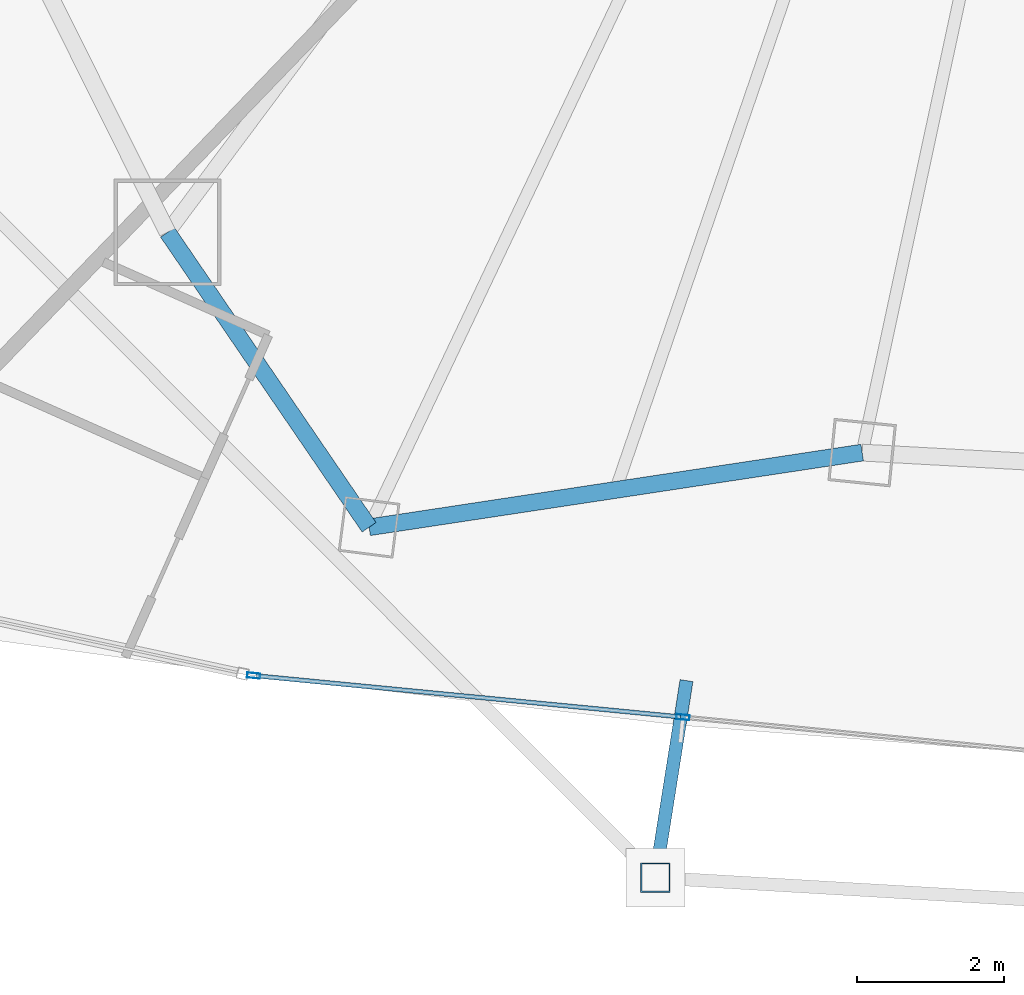
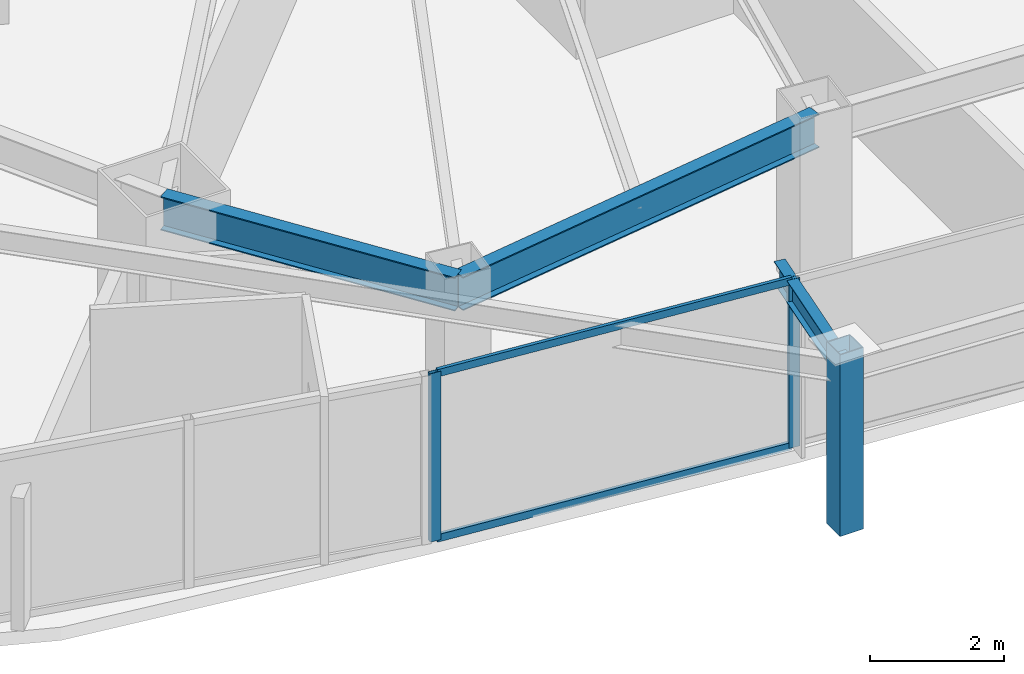
# One storey, part 3 of 31: 5 members, 3 beams, 1 element without a shape of its own.
"""IFC4 building model written with IfcOpenShell, lengths in metres."""

from ifc_helpers import new_model, si_unit, direction, frame, origin, origin_2d, place, context, subcontext, project, spatial, hollow_rectangle, i_section, extrude, material, layer, layer_set, material_profile, profile_set, type_object, element, aggregate, save


model = new_model("IFC4")

# Units and contexts
model_context = context("Model", 3, precision=1e-05, world=origin(), true_north=direction((0.0, 1.0)))
body_context = subcontext(model_context, "Body", "Model", "MODEL_VIEW")
ifc_project = project(units=[si_unit("LENGTHUNIT", "METRE"), si_unit("AREAUNIT", "SQUARE_METRE"), si_unit("VOLUMEUNIT", "CUBIC_METRE"), si_unit("PLANEANGLEUNIT", "RADIAN"), si_unit("MASSUNIT", "GRAM", prefix="KILO")], contexts=[model_context])

# Site, building, storey
site_placement = place(None, origin())
site = spatial("IfcSite", under=ifc_project, at=site_placement, CompositionType="ELEMENT")
building_placement = place(site_placement, origin())
building = spatial("IfcBuilding", under=site, at=building_placement, Name="Orvanel Arch Residences", CompositionType="ELEMENT")
storey_placement = place(building_placement, frame((0.0, 0.0, 133.10009765625)))
storey = spatial("IfcBuildingStorey", under=building, at=storey_placement, Name="L37", CompositionType="ELEMENT", Elevation=133.10009765625)

# Curtain wall, members
ifc_material_1 = material(Name="Bronze-anodised aluminium AA6063-T6", Category="aluminium")
ifc_layer = layer(ifc_material_1, 0.179931640625)
ifc_layer_set = layer_set([ifc_layer], Name="Bronze-anodised aluminium AA6063-T6")
curtain_wall_type = type_object("IfcCurtainWallType", Name="CW3-MID-SYS", PredefinedType="NOTDEFINED", material=ifc_layer_set)
curtain_wall_placement = place(storey_placement, origin())
curtain_wall = element("IfcCurtainWall", 1, at=curtain_wall_placement, inside=storey, type_object=curtain_wall_type, Name="L37 CW3-MID-SYS Unitised Curtain Wall", PredefinedType="NOTDEFINED")
ifc_material_profile_1 = material_profile(ifc_material_1, hollow_rectangle(XDim=0.070068359375, YDim=0.179931640625, WallThickness=0.00439453125, at=origin_2d()), Name="ALU180x70x4.5")
ifc_profile_set_1 = profile_set([ifc_material_profile_1], Name="Bronze-anodised aluminium AA6063-T6")
member_type_1 = type_object("IfcMemberType", Name="MUL-180x70", PredefinedType="MULLION", material=ifc_profile_set_1)
member_1_placement = place(storey_placement, frame((15.370849609375, 4.321533203125, 0.0), z_axis=(0.0, 0.0, 1.0), x_axis=(0.096408125648, 0.995341887649, 0.0)))
member_1 = element("IfcMember", 2, at=member_1_placement, type_object=member_type_1, Name="CW-S3 mullion 1", PredefinedType="MULLION", context=body_context, shape_type="SweptSolid", body=[
    extrude(hollow_rectangle(XDim=0.070068359375, YDim=0.179931640625, WallThickness=0.00439453125, at=origin_2d()), origin(), (0.0, 0.0, 1.0), 3.059814453125),
])
member_2_placement = place(storey_placement, frame((21.21044921875, 3.756103515625, 0.0), z_axis=(0.0, 0.0, 1.0), x_axis=(0.096408125648, 0.995341887649, 0.0)))
member_2 = element("IfcMember", 3, at=member_2_placement, type_object=member_type_1, Name="CW-S3 mullion 2", PredefinedType="MULLION", context=body_context, shape_type="SweptSolid", body=[
    extrude(hollow_rectangle(XDim=0.070068359375, YDim=0.179931640625, WallThickness=0.00439453125, at=origin_2d()), origin(), (0.0, 0.0, 1.0), 3.059814453125),
])

# Beams
ifc_material_2 = material(Name="Structural steel AS/NZS 3679.1 Grade 300 (300 MPa)", Category="steel")
ifc_material_profile_2 = material_profile(ifc_material_2, i_section(OverallWidth=0.177978515625, OverallDepth=0.406005859375, WebThickness=0.0078125, FlangeThickness=0.0126953125, at=origin_2d()), Name="410UB59.7")
ifc_profile_set_2 = profile_set([ifc_material_profile_2], Name="Structural steel AS/NZS 3679.1 Grade 300 (300 MPa)")
beam_type_1 = type_object("IfcBeamType", Name="OB-410UB-EXT", PredefinedType="SPANDREL", material=ifc_profile_set_2)
beam_1_placement = place(storey_placement, frame((21.259033203125, 4.2529296875, 2.85693359375), z_axis=(-0.155888665651, -0.987774632151, 0.0), x_axis=(0.987774632151, -0.155888665651, 0.0)))
element("IfcBeam", 4, at=beam_1_placement, inside=storey, type_object=beam_type_1, Name="L37 Outer Frame Radial Tie Beam 05", PredefinedType="SPANDREL", context=body_context, shape_type="SweptSolid", body=[
    extrude(i_section(OverallWidth=0.177978515625, OverallDepth=0.406005859375, WebThickness=0.0078125, FlangeThickness=0.0126953125, at=origin_2d()), origin(), (0.0, 0.0, 1.0), 2.714111328125),
])
ifc_material_profile_3 = material_profile(ifc_material_2, i_section(OverallWidth=0.22900390625, OverallDepth=0.612060546875, WebThickness=0.011962890625, FlangeThickness=0.01953125, at=origin_2d()), Name="610UB125")
ifc_profile_set_3 = profile_set([ifc_material_profile_3], Name="Structural steel AS/NZS 3679.1 Grade 300 (300 MPa)")
beam_type_2 = type_object("IfcBeamType", Name="SP-610UB", PredefinedType="SPANDREL", material=ifc_profile_set_3)
beam_2_placement = place(storey_placement, frame((14.198974609375, 10.35107421875, 2.75390625), z_axis=(0.564251579852, -0.825602903722, 0.0), x_axis=(0.825602903722, 0.564251579852, 0.0)))
element("IfcBeam", 5, at=beam_2_placement, inside=storey, type_object=beam_type_2, Name="L37 Perimeter Spandrel Beam 03", PredefinedType="SPANDREL", context=body_context, shape_type="SweptSolid", body=[
    extrude(i_section(OverallWidth=0.22900390625, OverallDepth=0.612060546875, WebThickness=0.011962890625, FlangeThickness=0.01953125, at=origin_2d()), origin(), (0.0, 0.0, 1.0), 4.859375),
])
beam_3_placement = place(storey_placement, frame((16.94091796875, 6.339111328125, 2.75390625), z_axis=(0.988726323014, 0.149733958002, 0.0), x_axis=(-0.149733958002, 0.988726323014, 0.0)))
element("IfcBeam", 6, at=beam_3_placement, inside=storey, type_object=beam_type_2, Name="L37 Perimeter Spandrel Beam 04", PredefinedType="SPANDREL", context=body_context, shape_type="SweptSolid", body=[
    extrude(i_section(OverallWidth=0.22900390625, OverallDepth=0.612060546875, WebThickness=0.011962890625, FlangeThickness=0.01953125, at=origin_2d()), origin(), (0.0, 0.0, 1.0), 6.784423828125),
])

# Member
ifc_material_3 = material(Name="Structural steel AS/NZS 1163 C450L0 (Grade 450)", Category="steel")
ifc_material_profile_4 = material_profile(ifc_material_3, hollow_rectangle(XDim=0.39990234375, YDim=0.39990234375, WallThickness=0.01611328125, at=origin_2d()), Name="SHS400x400x16")
ifc_profile_set_4 = profile_set([ifc_material_profile_4], Name="Structural steel AS/NZS 1163 C450L0 (Grade 450)")
member_type_2 = type_object("IfcMemberType", Name="ST-400SHS-EXT", PredefinedType="STRUT", material=ifc_profile_set_4)
member_3_placement = place(storey_placement, frame((20.8359375, 1.572021484375, 0.0), z_axis=(0.0, 0.0, 1.0), x_axis=(1.0, 0.0, 0.0)))
element("IfcMember", 7, at=member_3_placement, inside=storey, type_object=member_type_2, Name="L37 Outer Perimeter Frame Post 05", PredefinedType="STRUT", context=body_context, shape_type="SweptSolid", body=[
    extrude(hollow_rectangle(XDim=0.39990234375, YDim=0.39990234375, WallThickness=0.01611328125, at=origin_2d()), origin(), (0.0, 0.0, 1.0), 3.2998046875),
])

ifc_material_profile_5 = material_profile(ifc_material_1, hollow_rectangle(XDim=0.06005859375, YDim=0.135009765625, WallThickness=0.00390625, at=origin_2d()), Name="ALU135x60x4")
ifc_profile_set_5 = profile_set([ifc_material_profile_5], Name="Bronze-anodised aluminium AA6063-T6")
member_type_3 = type_object("IfcMemberType", Name="TRN-135x60", PredefinedType="USERDEFINED", material=ifc_profile_set_5)
member_4_placement = place(storey_placement, frame((15.40576171875, 4.318359375, 0.02978515625), z_axis=(0.995338544366, -0.096442636312, 0.0), x_axis=(0.096442636312, 0.995338544366, 0.0)))
member_4 = element("IfcMember", 8, at=member_4_placement, type_object=member_type_3, Name="CW-S3 transom 1.1", ObjectType="TRANSOM", PredefinedType="USERDEFINED", context=body_context, shape_type="SweptSolid", body=[
    extrude(hollow_rectangle(XDim=0.06005859375, YDim=0.135009765625, WallThickness=0.00390625, at=origin_2d()), origin(), (0.0, 0.0, 1.0), 5.797119140625),
])

member_5_placement = place(storey_placement, frame((15.40576171875, 4.318359375, 3.02978515625), z_axis=(0.995338544366, -0.096442636312, 0.0), x_axis=(0.096442636312, 0.995338544366, 0.0)))
member_5 = element("IfcMember", 9, at=member_5_placement, type_object=member_type_3, Name="CW-S3 transom 1.2", ObjectType="TRANSOM", PredefinedType="USERDEFINED", context=body_context, shape_type="SweptSolid", body=[
    extrude(hollow_rectangle(XDim=0.06005859375, YDim=0.135009765625, WallThickness=0.00390625, at=origin_2d()), origin(), (0.0, 0.0, 1.0), 5.797119140625),
])

aggregate(curtain_wall, [member_1, member_2, member_4, member_5])

save(model, "model.ifc")
